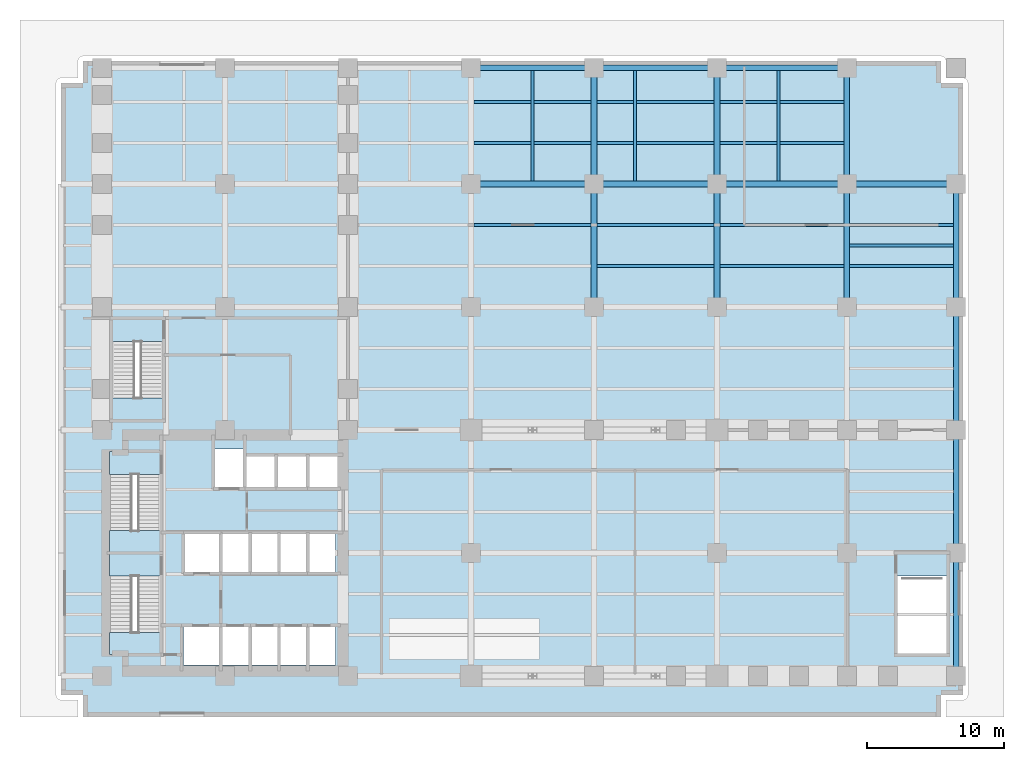
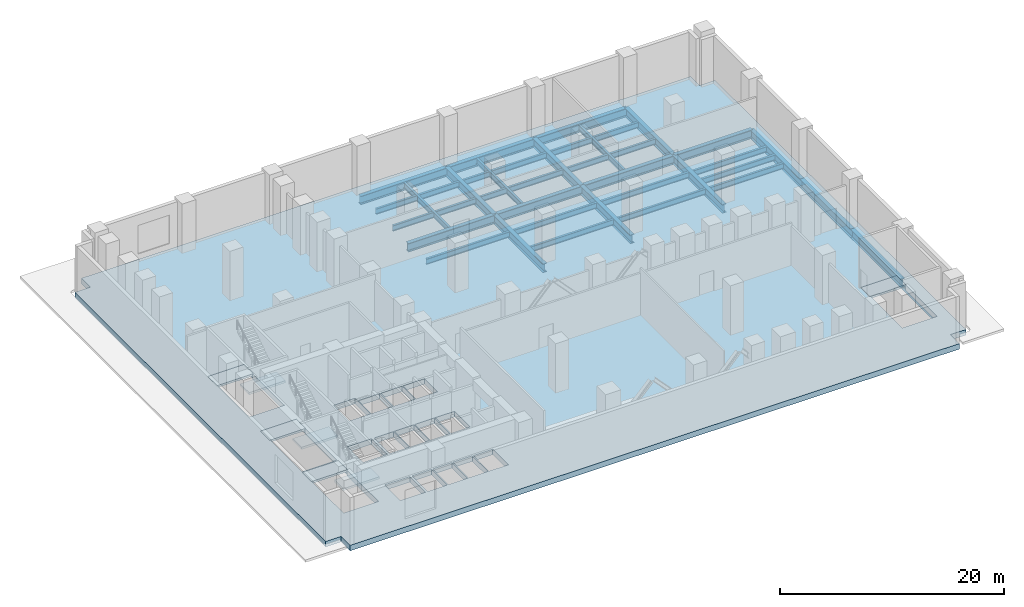
# One storey, part 3 of 8: 34 beams, 8 slabs, 3 elements without a shape of their own.
"""IFC4 building model written with IfcOpenShell, lengths in metres."""

from ifc_helpers import new_model, si_unit, direction, frame, origin, origin_2d, place, context, subcontext, project, spatial, polyline, i_section, outline, extrude, material, layer, layer_set, material_profile, profile_set, type_object, element, aggregate, save


model = new_model("IFC4")

# Units and contexts
model_context = context("Model", 3, precision=1e-05, world=origin(), true_north=direction((0.0, 1.0)))
body_context = subcontext(model_context, "Body", "Model", "MODEL_VIEW")
ifc_project = project(units=[si_unit("LENGTHUNIT", "METRE"), si_unit("AREAUNIT", "SQUARE_METRE"), si_unit("VOLUMEUNIT", "CUBIC_METRE"), si_unit("PLANEANGLEUNIT", "RADIAN"), si_unit("MASSUNIT", "GRAM", prefix="KILO")], contexts=[model_context])

# Site, building, storey
site_placement = place(None, origin())
site = spatial("IfcSite", under=ifc_project, at=site_placement, CompositionType="ELEMENT")
building_placement = place(site_placement, origin())
building = spatial("IfcBuilding", under=site, at=building_placement, Name="Mawjdan Bourse Tower", CompositionType="ELEMENT")
storey_placement = place(building_placement, frame((0.0, 0.0, 16.199951171875)))
storey = spatial("IfcBuildingStorey", under=building, at=storey_placement, Name="L03", CompositionType="ELEMENT", Elevation=16.199951171875)

# Beams
ifc_material_1 = material(Name="Structural Steel S460", Category="steel")
ifc_material_profile_1 = material_profile(ifc_material_1, i_section(OverallWidth=0.423095703125, OverallDepth=0.93994140625, WebThickness=0.02392578125, FlangeThickness=0.042724609375, FilletRadius=0.0341796875, at=origin_2d()), Name="W36X302")
ifc_profile_set_1 = profile_set([ifc_material_profile_1], Name="Structural Steel S460")
beam_type_1 = type_object("IfcBeamType", Name="GRD-W36X302", PredefinedType="BEAM", material=ifc_profile_set_1)
beam_1_placement = place(storey_placement, frame((42.0, 30.0, -1.070068359375), z_axis=(0.0, 1.0, 0.0), x_axis=(-1.0, 0.0, 0.0)))
element("IfcBeam", 1, at=beam_1_placement, inside=storey, type_object=beam_type_1, Name="L03 Podium Primary Girder 037", PredefinedType="BEAM", context=body_context, shape_type="SweptSolid", body=[
    extrude(i_section(OverallWidth=0.423095703125, OverallDepth=0.93994140625, WebThickness=0.02392578125, FlangeThickness=0.042724609375, FilletRadius=0.0341796875, at=origin_2d()), origin(), (0.0, 0.0, 1.0), 9.0),
])
beam_2_placement = place(storey_placement, frame((42.0, 39.0, -1.070068359375), z_axis=(0.0, 1.0, 0.0), x_axis=(-1.0, 0.0, 0.0)))
element("IfcBeam", 2, at=beam_2_placement, inside=storey, type_object=beam_type_1, Name="L03 Podium Primary Girder 038", PredefinedType="BEAM", context=body_context, shape_type="SweptSolid", body=[
    extrude(i_section(OverallWidth=0.423095703125, OverallDepth=0.93994140625, WebThickness=0.02392578125, FlangeThickness=0.042724609375, FilletRadius=0.0341796875, at=origin_2d()), origin(), (0.0, 0.0, 1.0), 8.5),
])
beam_3_placement = place(storey_placement, frame((51.0, 30.0, -1.070068359375), z_axis=(0.0, 1.0, 0.0), x_axis=(-1.0, 0.0, 0.0)))
element("IfcBeam", 3, at=beam_3_placement, inside=storey, type_object=beam_type_1, Name="L03 Podium Primary Girder 042", PredefinedType="BEAM", context=body_context, shape_type="SweptSolid", body=[
    extrude(i_section(OverallWidth=0.423095703125, OverallDepth=0.93994140625, WebThickness=0.02392578125, FlangeThickness=0.042724609375, FilletRadius=0.0341796875, at=origin_2d()), origin(), (0.0, 0.0, 1.0), 9.0),
])
beam_4_placement = place(storey_placement, frame((51.0, 39.0, -1.070068359375), z_axis=(0.0, 1.0, 0.0), x_axis=(-1.0, 0.0, 0.0)))
element("IfcBeam", 4, at=beam_4_placement, inside=storey, type_object=beam_type_1, Name="L03 Podium Primary Girder 043", PredefinedType="BEAM", context=body_context, shape_type="SweptSolid", body=[
    extrude(i_section(OverallWidth=0.423095703125, OverallDepth=0.93994140625, WebThickness=0.02392578125, FlangeThickness=0.042724609375, FilletRadius=0.0341796875, at=origin_2d()), origin(), (0.0, 0.0, 1.0), 8.5),
])
beam_5_placement = place(storey_placement, frame((60.5, 30.0, -1.070068359375), z_axis=(0.0, 1.0, 0.0), x_axis=(-1.0, 0.0, 0.0)))
element("IfcBeam", 5, at=beam_5_placement, inside=storey, type_object=beam_type_1, Name="L03 Podium Primary Girder 047", PredefinedType="BEAM", context=body_context, shape_type="SweptSolid", body=[
    extrude(i_section(OverallWidth=0.423095703125, OverallDepth=0.93994140625, WebThickness=0.02392578125, FlangeThickness=0.042724609375, FilletRadius=0.0341796875, at=origin_2d()), origin(), (0.0, 0.0, 1.0), 9.0),
])
beam_6_placement = place(storey_placement, frame((60.5, 39.0, -1.070068359375), z_axis=(0.0, 1.0, 0.0), x_axis=(-1.0, 0.0, 0.0)))
element("IfcBeam", 6, at=beam_6_placement, inside=storey, type_object=beam_type_1, Name="L03 Podium Primary Girder 048", PredefinedType="BEAM", context=body_context, shape_type="SweptSolid", body=[
    extrude(i_section(OverallWidth=0.423095703125, OverallDepth=0.93994140625, WebThickness=0.02392578125, FlangeThickness=0.042724609375, FilletRadius=0.0341796875, at=origin_2d()), origin(), (0.0, 0.0, 1.0), 8.5),
])
for number, where, z_axis, x_axis, name in (
    (7, (68.5, 3.0, -1.070068359375), (0.0, 1.0, 0.0), (-1.0, 0.0, 0.0), "L03 Podium Primary Girder 049"),
    (8, (68.5, 12.0, -1.070068359375), (0.0, 1.0, 0.0), (-1.0, 0.0, 0.0), "L03 Podium Primary Girder 050"),
    (9, (68.5, 21.0, -1.070068359375), (0.0, 1.0, 0.0), (-1.0, 0.0, 0.0), "L03 Podium Primary Girder 051"),
    (10, (68.5, 30.0, -1.070068359375), (0.0, 1.0, 0.0), (-1.0, 0.0, 0.0), "L03 Podium Primary Girder 052"),
    (11, (33.0, 39.0, -1.070068359375), (1.0, 0.0, 0.0), (0.0, 1.0, 0.0), "L03 Podium Tie Girder 079"),
    (12, (42.0, 39.0, -1.070068359375), (1.0, 0.0, 0.0), (0.0, 1.0, 0.0), "L03 Podium Tie Girder 080"),
):
    element("IfcBeam", number, at=place(storey_placement, frame(where, z_axis=z_axis, x_axis=x_axis)), inside=storey, type_object=beam_type_1, Name=name, PredefinedType="BEAM", context=body_context, shape_type="SweptSolid", body=[
        extrude(i_section(OverallWidth=0.423095703125, OverallDepth=0.93994140625, WebThickness=0.02392578125, FlangeThickness=0.042724609375, FilletRadius=0.0341796875, at=origin_2d()), origin(), (0.0, 0.0, 1.0), 9.0),
    ])
beam_7_placement = place(storey_placement, frame((51.0, 39.0, -1.070068359375), z_axis=(1.0, 0.0, 0.0), x_axis=(0.0, 1.0, 0.0)))
element("IfcBeam", 13, at=beam_7_placement, inside=storey, type_object=beam_type_1, Name="L03 Podium Tie Girder 081", PredefinedType="BEAM", context=body_context, shape_type="SweptSolid", body=[
    extrude(i_section(OverallWidth=0.423095703125, OverallDepth=0.93994140625, WebThickness=0.02392578125, FlangeThickness=0.042724609375, FilletRadius=0.0341796875, at=origin_2d()), origin(), (0.0, 0.0, 1.0), 9.5),
])
beam_8_placement = place(storey_placement, frame((60.5, 39.0, -1.070068359375), z_axis=(1.0, 0.0, 0.0), x_axis=(0.0, 1.0, 0.0)))
element("IfcBeam", 14, at=beam_8_placement, inside=storey, type_object=beam_type_1, Name="L03 Podium Tie Girder 082", PredefinedType="BEAM", context=body_context, shape_type="SweptSolid", body=[
    extrude(i_section(OverallWidth=0.423095703125, OverallDepth=0.93994140625, WebThickness=0.02392578125, FlangeThickness=0.042724609375, FilletRadius=0.0341796875, at=origin_2d()), origin(), (0.0, 0.0, 1.0), 8.0),
])
for number, where, z_axis, x_axis, name in (
    (15, (33.0, 47.5, -1.070068359375), (1.0, 0.0, 0.0), (0.0, 1.0, 0.0), "L03 Podium Tie Girder 086"),
    (16, (42.0, 47.5, -1.070068359375), (1.0, 0.0, 0.0), (0.0, 1.0, 0.0), "L03 Podium Tie Girder 087"),
):
    element("IfcBeam", number, at=place(storey_placement, frame(where, z_axis=z_axis, x_axis=x_axis)), inside=storey, type_object=beam_type_1, Name=name, PredefinedType="BEAM", context=body_context, shape_type="SweptSolid", body=[
        extrude(i_section(OverallWidth=0.423095703125, OverallDepth=0.93994140625, WebThickness=0.02392578125, FlangeThickness=0.042724609375, FilletRadius=0.0341796875, at=origin_2d()), origin(), (0.0, 0.0, 1.0), 9.0),
    ])
beam_9_placement = place(storey_placement, frame((51.0, 47.5, -1.070068359375), z_axis=(1.0, 0.0, 0.0), x_axis=(0.0, 1.0, 0.0)))
element("IfcBeam", 17, at=beam_9_placement, inside=storey, type_object=beam_type_1, Name="L03 Podium Tie Girder 088", PredefinedType="BEAM", context=body_context, shape_type="SweptSolid", body=[
    extrude(i_section(OverallWidth=0.423095703125, OverallDepth=0.93994140625, WebThickness=0.02392578125, FlangeThickness=0.042724609375, FilletRadius=0.0341796875, at=origin_2d()), origin(), (0.0, 0.0, 1.0), 9.5),
])
ifc_material_2 = material(Name="Structural Steel S355", Category="steel")
ifc_material_profile_2 = material_profile(ifc_material_2, i_section(OverallWidth=0.22998046875, OverallDepth=0.616943359375, WebThickness=0.01318359375, FlangeThickness=0.022216796875, FilletRadius=0.017822265625, at=origin_2d()), Name="W24X94")
ifc_profile_set_2 = profile_set([ifc_material_profile_2], Name="Structural Steel S355")
beam_type_2 = type_object("IfcBeamType", Name="JST-W24X94", PredefinedType="JOIST", material=ifc_profile_set_2)
beam_10_placement = place(storey_placement, frame((60.70947265625, 34.5, -0.908447265625), z_axis=(1.0, 0.0, 0.0), x_axis=(0.0, 1.0, 0.0)))
element("IfcBeam", 18, at=beam_10_placement, inside=storey, type_object=beam_type_2, Name="L03 L03 East Setback Joist 010", PredefinedType="JOIST", context=body_context, shape_type="SweptSolid", body=[
    extrude(i_section(OverallWidth=0.22998046875, OverallDepth=0.616943359375, WebThickness=0.01318359375, FlangeThickness=0.022216796875, FilletRadius=0.017822265625, at=origin_2d()), origin(), (0.0, 0.0, 1.0), 7.5810546875),
])
for number, where, z_axis, x_axis, name in (
    (19, (37.5, 39.20947265625, -0.908447265625), (0.0, 1.0, 0.0), (-1.0, 0.0, 0.0), "L03 L03 North Setback Joist 014"),
    (20, (45.0, 39.20947265625, -0.908447265625), (0.0, 1.0, 0.0), (-1.0, 0.0, 0.0), "L03 L03 North Setback Joist 015"),
    (21, (55.5, 39.20947265625, -0.908447265625), (0.0, 1.0, 0.0), (-1.0, 0.0, 0.0), "L03 L03 North Setback Joist 016"),
):
    element("IfcBeam", number, at=place(storey_placement, frame(where, z_axis=z_axis, x_axis=x_axis)), inside=storey, type_object=beam_type_2, Name=name, PredefinedType="JOIST", context=body_context, shape_type="SweptSolid", body=[
        extrude(i_section(OverallWidth=0.22998046875, OverallDepth=0.616943359375, WebThickness=0.01318359375, FlangeThickness=0.022216796875, FilletRadius=0.017822265625, at=origin_2d()), origin(), (0.0, 0.0, 1.0), 8.0810546875),
    ])
beam_11_placement = place(storey_placement, frame((42.20947265625, 33.0, -0.908447265625), z_axis=(1.0, 0.0, 0.0), x_axis=(0.0, 1.0, 0.0)))
element("IfcBeam", 22, at=beam_11_placement, inside=storey, type_object=beam_type_2, Name="L03 Composite Floor Joist 128", PredefinedType="JOIST", context=body_context, shape_type="SweptSolid", body=[
    extrude(i_section(OverallWidth=0.22998046875, OverallDepth=0.616943359375, WebThickness=0.01318359375, FlangeThickness=0.022216796875, FilletRadius=0.017822265625, at=origin_2d()), origin(), (0.0, 0.0, 1.0), 8.5810546875),
])
beam_12_placement = place(storey_placement, frame((51.20947265625, 33.0, -0.908447265625), z_axis=(1.0, 0.0, 0.0), x_axis=(0.0, 1.0, 0.0)))
element("IfcBeam", 23, at=beam_12_placement, inside=storey, type_object=beam_type_2, Name="L03 Composite Floor Joist 129", PredefinedType="JOIST", context=body_context, shape_type="SweptSolid", body=[
    extrude(i_section(OverallWidth=0.22998046875, OverallDepth=0.616943359375, WebThickness=0.01318359375, FlangeThickness=0.022216796875, FilletRadius=0.017822265625, at=origin_2d()), origin(), (0.0, 0.0, 1.0), 9.0810546875),
])
beam_13_placement = place(storey_placement, frame((60.70947265625, 33.0, -0.908447265625), z_axis=(1.0, 0.0, 0.0), x_axis=(0.0, 1.0, 0.0)))
element("IfcBeam", 24, at=beam_13_placement, inside=storey, type_object=beam_type_2, Name="L03 Composite Floor Joist 130", PredefinedType="JOIST", context=body_context, shape_type="SweptSolid", body=[
    extrude(i_section(OverallWidth=0.22998046875, OverallDepth=0.616943359375, WebThickness=0.01318359375, FlangeThickness=0.022216796875, FilletRadius=0.017822265625, at=origin_2d()), origin(), (0.0, 0.0, 1.0), 7.5810546875),
])
for number, where, z_axis, x_axis, name in (
    (25, (33.20947265625, 36.0, -0.908447265625), (1.0, 0.0, 0.0), (0.0, 1.0, 0.0), "L03 Composite Floor Joist 135"),
    (26, (42.20947265625, 36.0, -0.908447265625), (1.0, 0.0, 0.0), (0.0, 1.0, 0.0), "L03 Composite Floor Joist 136"),
):
    element("IfcBeam", number, at=place(storey_placement, frame(where, z_axis=z_axis, x_axis=x_axis)), inside=storey, type_object=beam_type_2, Name=name, PredefinedType="JOIST", context=body_context, shape_type="SweptSolid", body=[
        extrude(i_section(OverallWidth=0.22998046875, OverallDepth=0.616943359375, WebThickness=0.01318359375, FlangeThickness=0.022216796875, FilletRadius=0.017822265625, at=origin_2d()), origin(), (0.0, 0.0, 1.0), 8.5810546875),
    ])
beam_14_placement = place(storey_placement, frame((51.20947265625, 36.0, -0.908447265625), z_axis=(1.0, 0.0, 0.0), x_axis=(0.0, 1.0, 0.0)))
element("IfcBeam", 27, at=beam_14_placement, inside=storey, type_object=beam_type_2, Name="L03 Composite Floor Joist 137", PredefinedType="JOIST", context=body_context, shape_type="SweptSolid", body=[
    extrude(i_section(OverallWidth=0.22998046875, OverallDepth=0.616943359375, WebThickness=0.01318359375, FlangeThickness=0.022216796875, FilletRadius=0.017822265625, at=origin_2d()), origin(), (0.0, 0.0, 1.0), 9.0810546875),
])
beam_15_placement = place(storey_placement, frame((60.70947265625, 36.0, -0.908447265625), z_axis=(1.0, 0.0, 0.0), x_axis=(0.0, 1.0, 0.0)))
element("IfcBeam", 28, at=beam_15_placement, inside=storey, type_object=beam_type_2, Name="L03 Composite Floor Joist 138", PredefinedType="JOIST", context=body_context, shape_type="SweptSolid", body=[
    extrude(i_section(OverallWidth=0.22998046875, OverallDepth=0.616943359375, WebThickness=0.01318359375, FlangeThickness=0.022216796875, FilletRadius=0.017822265625, at=origin_2d()), origin(), (0.0, 0.0, 1.0), 7.5810546875),
])
for number, where, z_axis, x_axis, name in (
    (29, (33.20947265625, 42.0, -0.908447265625), (1.0, 0.0, 0.0), (0.0, 1.0, 0.0), "L03 Composite Floor Joist 142"),
    (30, (42.20947265625, 42.0, -0.908447265625), (1.0, 0.0, 0.0), (0.0, 1.0, 0.0), "L03 Composite Floor Joist 143"),
):
    element("IfcBeam", number, at=place(storey_placement, frame(where, z_axis=z_axis, x_axis=x_axis)), inside=storey, type_object=beam_type_2, Name=name, PredefinedType="JOIST", context=body_context, shape_type="SweptSolid", body=[
        extrude(i_section(OverallWidth=0.22998046875, OverallDepth=0.616943359375, WebThickness=0.01318359375, FlangeThickness=0.022216796875, FilletRadius=0.017822265625, at=origin_2d()), origin(), (0.0, 0.0, 1.0), 8.5810546875),
    ])
beam_16_placement = place(storey_placement, frame((51.20947265625, 42.0, -0.908447265625), z_axis=(1.0, 0.0, 0.0), x_axis=(0.0, 1.0, 0.0)))
element("IfcBeam", 31, at=beam_16_placement, inside=storey, type_object=beam_type_2, Name="L03 Composite Floor Joist 144", PredefinedType="JOIST", context=body_context, shape_type="SweptSolid", body=[
    extrude(i_section(OverallWidth=0.22998046875, OverallDepth=0.616943359375, WebThickness=0.01318359375, FlangeThickness=0.022216796875, FilletRadius=0.017822265625, at=origin_2d()), origin(), (0.0, 0.0, 1.0), 9.0810546875),
])
for number, where, z_axis, x_axis, name in (
    (32, (33.20947265625, 45.0, -0.908447265625), (1.0, 0.0, 0.0), (0.0, 1.0, 0.0), "L03 Composite Floor Joist 148"),
    (33, (42.20947265625, 45.0, -0.908447265625), (1.0, 0.0, 0.0), (0.0, 1.0, 0.0), "L03 Composite Floor Joist 149"),
):
    element("IfcBeam", number, at=place(storey_placement, frame(where, z_axis=z_axis, x_axis=x_axis)), inside=storey, type_object=beam_type_2, Name=name, PredefinedType="JOIST", context=body_context, shape_type="SweptSolid", body=[
        extrude(i_section(OverallWidth=0.22998046875, OverallDepth=0.616943359375, WebThickness=0.01318359375, FlangeThickness=0.022216796875, FilletRadius=0.017822265625, at=origin_2d()), origin(), (0.0, 0.0, 1.0), 8.5810546875),
    ])
beam_17_placement = place(storey_placement, frame((51.20947265625, 45.0, -0.908447265625), z_axis=(1.0, 0.0, 0.0), x_axis=(0.0, 1.0, 0.0)))
element("IfcBeam", 34, at=beam_17_placement, inside=storey, type_object=beam_type_2, Name="L03 Composite Floor Joist 150", PredefinedType="JOIST", context=body_context, shape_type="SweptSolid", body=[
    extrude(i_section(OverallWidth=0.22998046875, OverallDepth=0.616943359375, WebThickness=0.01318359375, FlangeThickness=0.022216796875, FilletRadius=0.017822265625, at=origin_2d()), origin(), (0.0, 0.0, 1.0), 9.0810546875),
])

# Stair, slabs
ifc_material_3 = material(Name="Concrete C50/60", Category="concrete")
stair_type = type_object("IfcStairType", Name="STR-CORE-1500", PredefinedType="HALF_TURN_STAIR", material=ifc_material_3)
stair_1_placement = place(storey_placement, origin())
stair_1 = element("IfcStair", 35, at=stair_1_placement, inside=storey, type_object=stair_type, Name="L03 Exit Stair 1 (Core South-West)", PredefinedType="HALF_TURN_STAIR")
ifc_layer_1 = layer(ifc_material_3, 0.22998046875)
ifc_layer_set_1 = layer_set([ifc_layer_1], Name="Concrete C50/60")
slab_type_1 = type_object("IfcSlabType", Name="SL-LND-230", PredefinedType="LANDING", material=ifc_layer_set_1)
slab_1_placement = place(storey_placement, frame((0.0, 0.0, -0.22998046875)))
slab_1 = element("IfcSlab", 36, at=slab_1_placement, type_object=slab_type_1, Name="ST1-L03 landing 1", PredefinedType="LANDING", context=body_context, shape_type="SweptSolid", body=[
    extrude(outline(polyline([(6.5400390625, 10.31005859375), (10.260009765625, 10.31005859375), (10.260009765625, 11.969970703125), (6.5400390625, 11.969970703125), (6.5400390625, 10.31005859375)])), origin(), (0.0, 0.0, 1.0), 0.22998046875),
])
slab_2_placement = place(storey_placement, frame((0.0, 0.0, 2.469970703125)))
slab_2 = element("IfcSlab", 37, at=slab_2_placement, type_object=slab_type_1, Name="ST1-L03 landing 2", PredefinedType="LANDING", context=body_context, shape_type="SweptSolid", body=[
    extrude(outline(polyline([(6.5400390625, 4.590087890625), (10.260009765625, 4.590087890625), (10.260009765625, 6.18994140625), (6.5400390625, 6.18994140625), (6.5400390625, 4.590087890625)])), origin(), (0.0, 0.0, 1.0), 0.22998046875),
])
aggregate(stair_1, [slab_1, slab_2])

stair_2_placement = place(storey_placement, origin())
stair_2 = element("IfcStair", 38, at=stair_2_placement, inside=storey, type_object=stair_type, Name="L03 Exit Stair 2 (Core North-West)", PredefinedType="HALF_TURN_STAIR")
slab_3_placement = place(storey_placement, frame((0.0, 0.0, -0.22998046875)))
slab_3 = element("IfcSlab", 39, at=slab_3_placement, type_object=slab_type_1, Name="ST2-L03 landing 1", PredefinedType="LANDING", context=body_context, shape_type="SweptSolid", body=[
    extrude(outline(polyline([(6.5400390625, 17.75), (10.260009765625, 17.75), (10.260009765625, 19.409912109375), (6.5400390625, 19.409912109375), (6.5400390625, 17.75)])), origin(), (0.0, 0.0, 1.0), 0.22998046875),
])
slab_4_placement = place(storey_placement, frame((0.0, 0.0, 2.469970703125)))
slab_4 = element("IfcSlab", 40, at=slab_4_placement, type_object=slab_type_1, Name="ST2-L03 landing 2", PredefinedType="LANDING", context=body_context, shape_type="SweptSolid", body=[
    extrude(outline(polyline([(6.5400390625, 12.030029296875), (10.260009765625, 12.030029296875), (10.260009765625, 13.6298828125), (6.5400390625, 13.6298828125), (6.5400390625, 12.030029296875)])), origin(), (0.0, 0.0, 1.0), 0.22998046875),
])
aggregate(stair_2, [slab_3, slab_4])

stair_3_placement = place(storey_placement, origin())
stair_3 = element("IfcStair", 41, at=stair_3_placement, inside=storey, type_object=stair_type, Name="L03 Exit Stair 3 (North Wing)", PredefinedType="HALF_TURN_STAIR")
slab_5_placement = place(storey_placement, frame((0.0, 0.0, -0.22998046875)))
slab_5 = element("IfcSlab", 42, at=slab_5_placement, type_object=slab_type_1, Name="ST3-L03 landing 1", PredefinedType="LANDING", context=body_context, shape_type="SweptSolid", body=[
    extrude(outline(polyline([(6.739990234375, 27.4599609375), (10.4599609375, 27.4599609375), (10.4599609375, 29.1201171875), (6.739990234375, 29.1201171875), (6.739990234375, 27.4599609375)])), origin(), (0.0, 0.0, 1.0), 0.22998046875),
])
slab_6_placement = place(storey_placement, frame((0.0, 0.0, 2.469970703125)))
slab_6 = element("IfcSlab", 43, at=slab_6_placement, type_object=slab_type_1, Name="ST3-L03 landing 2", PredefinedType="LANDING", context=body_context, shape_type="SweptSolid", body=[
    extrude(outline(polyline([(6.739990234375, 21.739990234375), (10.4599609375, 21.739990234375), (10.4599609375, 23.340087890625), (6.739990234375, 23.340087890625), (6.739990234375, 21.739990234375)])), origin(), (0.0, 0.0, 1.0), 0.22998046875),
])
aggregate(stair_3, [slab_5, slab_6])

# Slabs
slab_7_placement = place(storey_placement, frame((0.0, 0.0, -0.22998046875)))
element("IfcSlab", 44, at=slab_7_placement, inside=storey, type_object=slab_type_1, Name="L03 ST6 Top Arrival Landing", PredefinedType="LANDING", context=body_context, shape_type="SweptSolid", body=[
    extrude(outline(polyline([(64.139892578125, 10.31005859375), (67.860107421875, 10.31005859375), (67.860107421875, 11.969970703125), (64.139892578125, 11.969970703125), (64.139892578125, 10.31005859375)])), origin(), (0.0, 0.0, 1.0), 0.22998046875),
])
ifc_material_4 = material(Name="Concrete C60/75", Category="concrete")
ifc_layer_2 = layer(ifc_material_4, 0.60009765625)
ifc_layer_set_2 = layer_set([ifc_layer_2], Name="Concrete C60/75")
slab_type_2 = type_object("IfcSlabType", Name="SL-XFR-600", PredefinedType="FLOOR", material=ifc_layer_set_2)
slab_8_placement = place(storey_placement, frame((0.0, 0.0, -0.599853515625)))
element("IfcSlab", 45, at=slab_8_placement, inside=storey, type_object=slab_type_2, Name="L03 Structural Floor Slab 1", PredefinedType="FLOOR", context=body_context, shape_type="SweptSolid", body=[
    extrude(outline(polyline([(4.60009765625, 0.0), (67.39990234375, 0.0), (67.39990234375, 1.60009765625), (69.0, 1.60009765625), (69.0, 46.39990234375), (67.39990234375, 46.39990234375), (67.39990234375, 48.0), (4.60009765625, 48.0), (4.60009765625, 46.39990234375), (3.0, 46.39990234375), (3.0, 1.60009765625), (4.60009765625, 1.60009765625), (4.60009765625, 0.0)]), holes=[polyline([(11.949951171875, 3.800048828125), (11.949951171875, 6.60009765625), (14.550048828125, 6.60009765625), (14.550048828125, 3.800048828125), (11.949951171875, 3.800048828125)]), polyline([(14.800048828125, 3.800048828125), (14.800048828125, 6.60009765625), (16.800048828125, 6.60009765625), (16.800048828125, 3.800048828125), (14.800048828125, 3.800048828125)]), polyline([(10.260009765625, 11.969970703125), (10.260009765625, 10.31005859375), (10.199951171875, 10.31005859375), (10.199951171875, 4.64990234375), (6.60009765625, 4.64990234375), (6.60009765625, 10.31005859375), (6.5400390625, 10.31005859375), (6.5400390625, 11.969970703125), (10.260009765625, 11.969970703125)]), polyline([(12.050048828125, 13.39990234375), (14.550048828125, 13.39990234375), (14.550048828125, 10.60009765625), (12.050048828125, 10.60009765625), (12.050048828125, 13.39990234375)]), polyline([(14.800048828125, 10.60009765625), (14.800048828125, 13.39990234375), (16.800048828125, 13.39990234375), (16.800048828125, 10.60009765625), (14.800048828125, 10.60009765625)]), polyline([(6.60009765625, 17.75), (6.5400390625, 17.75), (6.5400390625, 19.409912109375), (10.260009765625, 19.409912109375), (10.260009765625, 17.75), (10.199951171875, 17.75), (10.199951171875, 12.090087890625), (6.60009765625, 12.090087890625), (6.60009765625, 17.75)]), polyline([(14.199951171875, 19.60009765625), (16.39990234375, 19.60009765625), (16.39990234375, 16.800048828125), (14.199951171875, 16.800048828125), (14.199951171875, 19.60009765625)]), polyline([(10.4599609375, 27.4599609375), (10.39990234375, 27.4599609375), (10.39990234375, 21.800048828125), (6.800048828125, 21.800048828125), (6.800048828125, 27.4599609375), (6.739990234375, 27.4599609375), (6.739990234375, 29.1201171875), (10.4599609375, 29.1201171875), (10.4599609375, 27.4599609375)]), polyline([(16.89990234375, 3.800048828125), (16.89990234375, 6.60009765625), (18.89990234375, 6.60009765625), (18.89990234375, 3.800048828125), (16.89990234375, 3.800048828125)]), polyline([(19.0, 3.800048828125), (19.0, 6.60009765625), (21.0, 6.60009765625), (21.0, 3.800048828125), (19.0, 3.800048828125)]), polyline([(21.10009765625, 3.800048828125), (21.10009765625, 6.60009765625), (23.10009765625, 6.60009765625), (23.10009765625, 3.800048828125), (21.10009765625, 3.800048828125)]), polyline([(67.860107421875, 10.31005859375), (67.800048828125, 10.31005859375), (67.800048828125, 4.64990234375), (64.199951171875, 4.64990234375), (64.199951171875, 10.31005859375), (64.139892578125, 10.31005859375), (64.139892578125, 11.969970703125), (67.860107421875, 11.969970703125), (67.860107421875, 10.31005859375)]), polyline([(16.89990234375, 10.60009765625), (16.89990234375, 13.39990234375), (18.89990234375, 13.39990234375), (18.89990234375, 10.60009765625), (16.89990234375, 10.60009765625)]), polyline([(19.0, 13.39990234375), (21.0, 13.39990234375), (21.0, 10.60009765625), (19.0, 10.60009765625), (19.0, 13.39990234375)]), polyline([(21.10009765625, 13.39990234375), (23.10009765625, 13.39990234375), (23.10009765625, 10.60009765625), (21.10009765625, 10.60009765625), (21.10009765625, 13.39990234375)]), polyline([(16.5, 16.800048828125), (16.5, 19.14990234375), (18.699951171875, 19.14990234375), (18.699951171875, 16.800048828125), (16.5, 16.800048828125)]), polyline([(18.800048828125, 19.14990234375), (21.0, 19.14990234375), (21.0, 16.800048828125), (18.800048828125, 16.800048828125), (18.800048828125, 19.14990234375)]), polyline([(21.10009765625, 19.14990234375), (23.300048828125, 19.14990234375), (23.300048828125, 16.800048828125), (21.10009765625, 16.800048828125), (21.10009765625, 19.14990234375)])]), origin(), (0.0, 0.0, 1.0), 0.599853515625),
])

save(model, "model.ifc")
